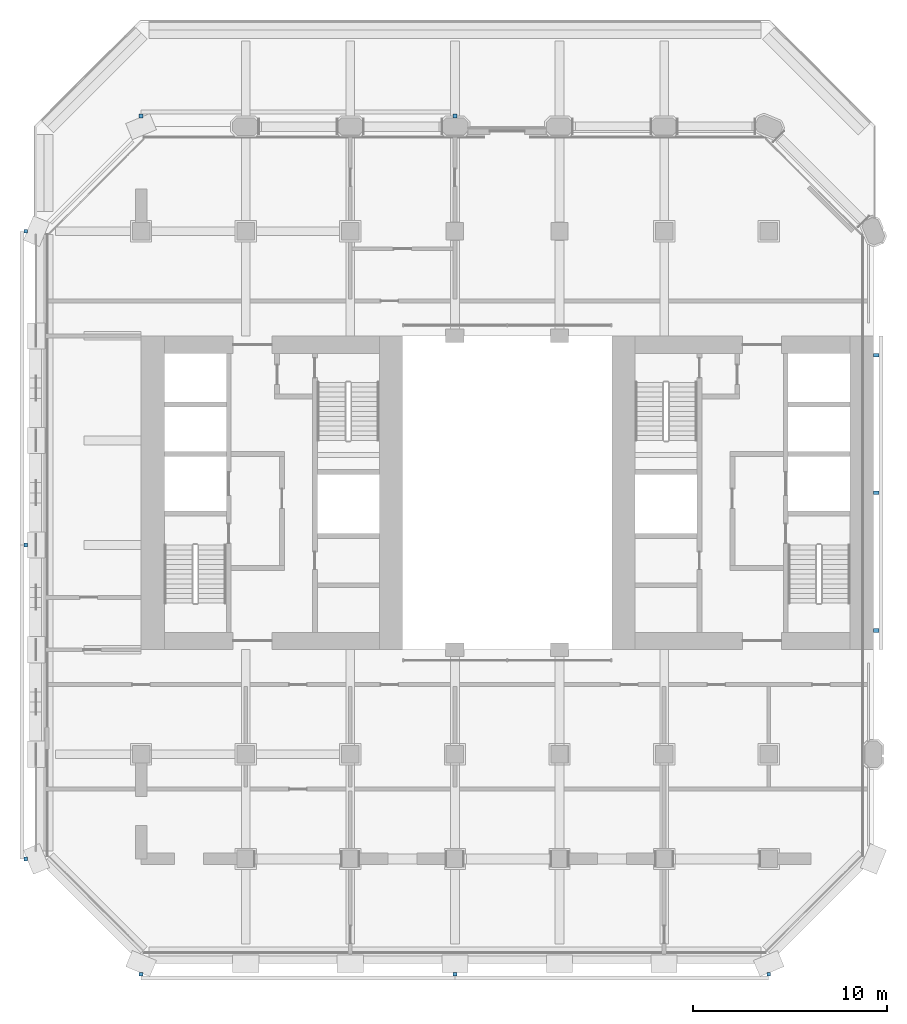
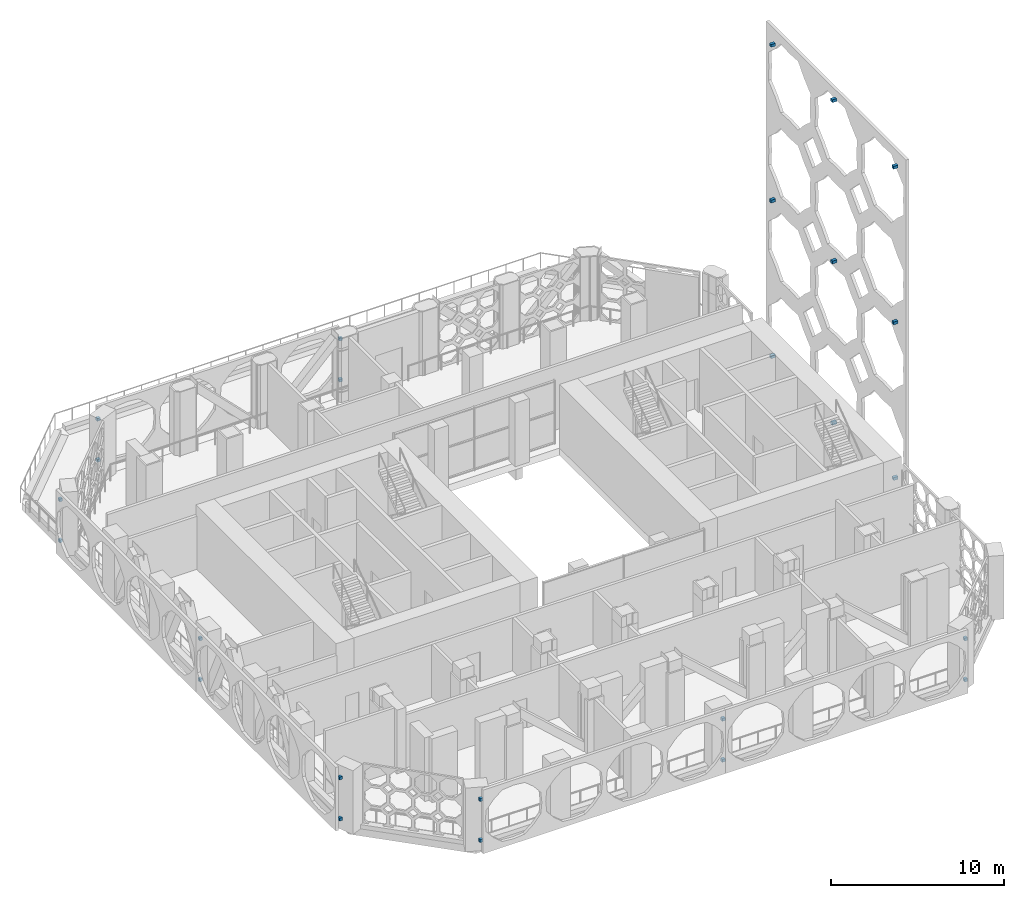
# One storey, part 13 of 17: 25 discrete accessories.
"""IFC4 building model written with IfcOpenShell, lengths in metres."""

from ifc_helpers import new_model, si_unit, direction, frame, origin, origin_2d, place, context, subcontext, project, spatial, rectangle, extrude, element, save


model = new_model("IFC4")

# Units and contexts
model_context = context("Model", 3, precision=1e-05, world=origin(), true_north=direction((0.0, 1.0)))
body_context = subcontext(model_context, "Body", "Model", "MODEL_VIEW")
ifc_project = project(units=[si_unit("LENGTHUNIT", "METRE"), si_unit("AREAUNIT", "SQUARE_METRE"), si_unit("VOLUMEUNIT", "CUBIC_METRE"), si_unit("PLANEANGLEUNIT", "RADIAN"), si_unit("MASSUNIT", "GRAM", prefix="KILO")], contexts=[model_context])

# Site, building, storey
site_placement = place(None, origin())
site = spatial("IfcSite", under=ifc_project, at=site_placement, CompositionType="ELEMENT")
building_placement = place(site_placement, origin())
building = spatial("IfcBuilding", under=site, at=building_placement, Name="Tabaq Tower and Sports Hall", CompositionType="ELEMENT")
storey_placement = place(building_placement, frame((0.0, 0.0, 125.800048828125)))
storey = spatial("IfcBuildingStorey", under=building, at=storey_placement, Name="L30", CompositionType="ELEMENT", Elevation=125.800048828125)

# Discrete accessories
for number, where, z_axis, x_axis, name in (
    (1, (5.39990234375, -0.550048828125, 0.7001953125), (0.0, 0.0, 1.0), (0.0, 1.0, 0.0), "Stainless steel bracket"),
    (2, (5.39990234375, -0.550048828125, 3.60009765625), (0.0, 0.0, 1.0), (0.0, 1.0, 0.0), "Stainless steel bracket"),
    (3, (21.60009765625, -0.550048828125, 0.7001953125), (0.0, 0.0, 1.0), (0.0, 1.0, 0.0), "Stainless steel bracket"),
    (4, (21.60009765625, -0.550048828125, 3.60009765625), (0.0, 0.0, 1.0), (0.0, 1.0, 0.0), "Stainless steel bracket"),
    (5, (37.800048828125, -0.550048828125, 0.7001953125), (0.0, 0.0, 1.0), (0.0, 1.0, 0.0), "Stainless steel bracket"),
    (6, (37.800048828125, -0.550048828125, 3.60009765625), (0.0, 0.0, 1.0), (0.0, 1.0, 0.0), "Stainless steel bracket"),
    (7, (21.60009765625, 43.75, 0.7001953125), (0.0, 0.0, 1.0), (0.0, -1.0, 0.0), "Stainless steel bracket"),
    (8, (21.60009765625, 43.75, 3.60009765625), (0.0, 0.0, 1.0), (0.0, -1.0, 0.0), "Stainless steel bracket"),
    (9, (5.39990234375, 43.75, 0.7001953125), (0.0, 0.0, 1.0), (0.0, -1.0, 0.0), "Stainless steel bracket"),
    (10, (5.39990234375, 43.75, 3.60009765625), (0.0, 0.0, 1.0), (0.0, -1.0, 0.0), "Stainless steel bracket"),
    (11, (-0.550048828125, 37.800048828125, 0.7001953125), (0.0, 0.0, 1.0), (1.0, 0.0, 0.0), "Stainless steel bracket"),
    (12, (-0.550048828125, 37.800048828125, 3.60009765625), (0.0, 0.0, 1.0), (1.0, 0.0, 0.0), "Stainless steel bracket"),
    (13, (-0.550048828125, 21.60009765625, 0.7001953125), (0.0, 0.0, 1.0), (1.0, 0.0, 0.0), "Stainless steel bracket"),
    (14, (-0.550048828125, 21.60009765625, 3.60009765625), (0.0, 0.0, 1.0), (1.0, 0.0, 0.0), "Stainless steel bracket"),
    (15, (-0.550048828125, 5.39990234375, 0.7001953125), (0.0, 0.0, 1.0), (1.0, 0.0, 0.0), "Stainless steel bracket"),
    (16, (-0.550048828125, 5.39990234375, 3.60009765625), (0.0, 0.0, 1.0), (1.0, 0.0, 0.0), "Stainless steel bracket"),
):
    element("IfcDiscreteAccessory", number, at=place(storey_placement, frame(where, z_axis=z_axis, x_axis=x_axis)), inside=storey, Name=name, PredefinedType="BRACKET", context=body_context, shape_type="SweptSolid", body=[
        extrude(rectangle(XDim=0.199951171875, YDim=0.199951171875, at=origin_2d()), origin(), (0.0, 0.0, 1.0), 0.199951171875),
    ])
for number, where, z_axis, x_axis, name in (
    (17, (43.35009765625, 17.199951171875, 2.25), (0.0, 0.0, 1.0), (0.0, 1.0, 0.0), "Stainless steel bracket"),
    (18, (43.35009765625, 17.199951171875, 13.25), (0.0, 0.0, 1.0), (0.0, 1.0, 0.0), "Stainless steel bracket"),
    (19, (43.35009765625, 17.199951171875, 24.25), (0.0, 0.0, 1.0), (0.0, 1.0, 0.0), "Stainless steel bracket"),
    (20, (43.35009765625, 24.300048828125, 1.85009765625), (0.0, 0.0, 1.0), (0.0, 1.0, 0.0), "Stainless steel bracket"),
    (21, (43.35009765625, 24.300048828125, 13.25), (0.0, 0.0, 1.0), (0.0, 1.0, 0.0), "Stainless steel bracket"),
    (22, (43.35009765625, 24.300048828125, 24.64990234375), (0.0, 0.0, 1.0), (0.0, 1.0, 0.0), "Stainless steel bracket"),
    (23, (43.35009765625, 31.39990234375, 2.25), (0.0, 0.0, 1.0), (0.0, 1.0, 0.0), "Stainless steel bracket"),
    (24, (43.35009765625, 31.39990234375, 13.25), (0.0, 0.0, 1.0), (0.0, 1.0, 0.0), "Stainless steel bracket"),
    (25, (43.35009765625, 31.39990234375, 24.25), (0.0, 0.0, 1.0), (0.0, 1.0, 0.0), "Stainless steel bracket"),
):
    element("IfcDiscreteAccessory", number, at=place(storey_placement, frame(where, z_axis=z_axis, x_axis=x_axis)), inside=storey, Name=name, PredefinedType="BRACKET", context=body_context, shape_type="SweptSolid", body=[
        extrude(rectangle(XDim=0.199951171875, YDim=0.300048828125, at=origin_2d()), origin(), (0.0, 0.0, 1.0), 0.199951171875),
    ])

save(model, "model.ifc")
